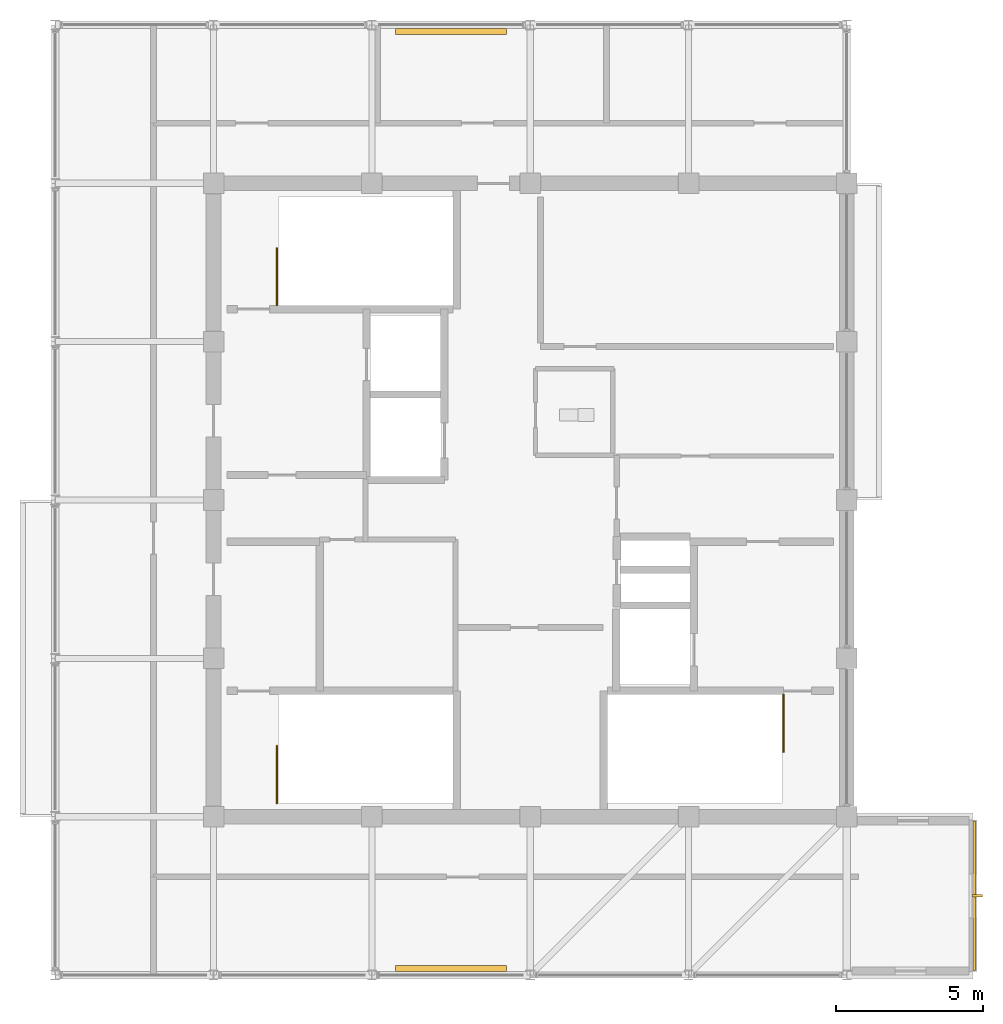
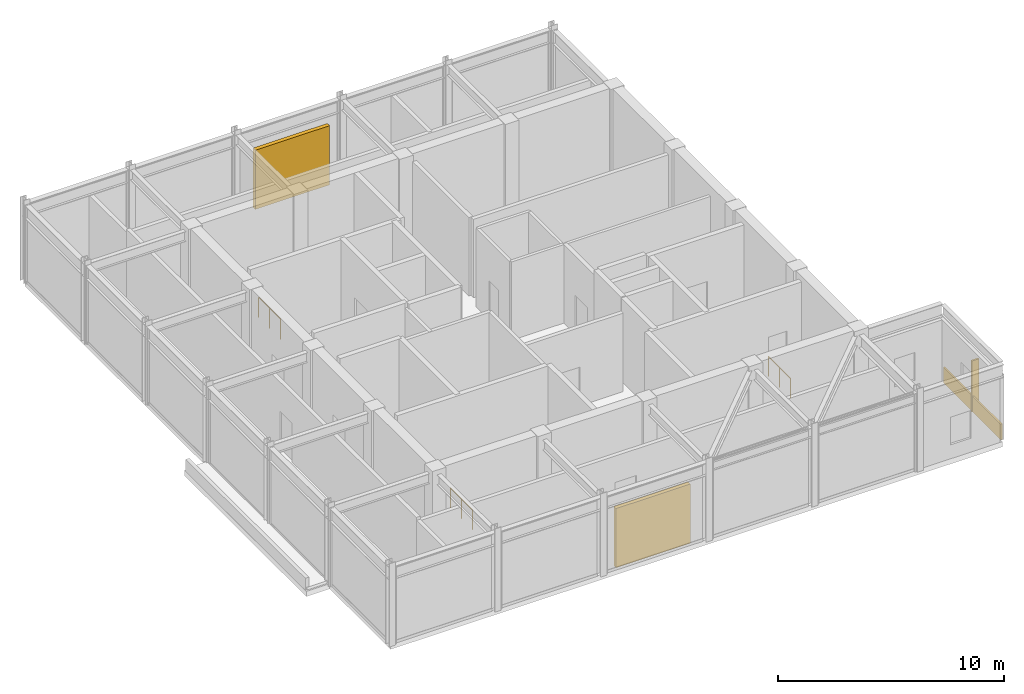
# One storey, part 17 of 18: 3 railings, 3 shading devices, 1 covering.
"""IFC4 building model written with IfcOpenShell, lengths in metres."""

from ifc_helpers import new_model, si_unit, direction, frame, origin, origin_2d, place, context, subcontext, project, spatial, rectangle, circle, extrude, material, layer, layer_set, type_object, element, save


model = new_model("IFC4")

# Units and contexts
model_context = context("Model", 3, precision=1e-05, world=origin(), true_north=direction((0.0, 1.0)))
body_context = subcontext(model_context, "Body", "Model", "MODEL_VIEW")
ifc_project = project(units=[si_unit("LENGTHUNIT", "METRE"), si_unit("AREAUNIT", "SQUARE_METRE"), si_unit("VOLUMEUNIT", "CUBIC_METRE"), si_unit("PLANEANGLEUNIT", "RADIAN"), si_unit("MASSUNIT", "GRAM", prefix="KILO")], contexts=[model_context])

# Site, building, storey
site_placement = place(None, origin())
site = spatial("IfcSite", under=ifc_project, at=site_placement, CompositionType="ELEMENT")
building_placement = place(site_placement, origin())
building = spatial("IfcBuilding", under=site, at=building_placement, Name="Surkhivell Harbour Commons", CompositionType="ELEMENT")
storey_placement = place(building_placement, frame((0.0, 0.0, 360.0)))
storey = spatial("IfcBuildingStorey", under=building, at=storey_placement, Name="L93", CompositionType="ELEMENT", Elevation=360.0)

# Covering
ifc_material_1 = material(Name="Emerald-teal enamelled aluminium cassette panel", Category="aluminium")
ifc_layer = layer(ifc_material_1, 0.068115234375)
ifc_layer_set = layer_set([ifc_layer], Name="Emerald-teal enamelled aluminium cassette panel")
covering_type = type_object("IfcCoveringType", Name="COV-CLAD-EME", PredefinedType="CLADDING", material=ifc_layer_set)
covering_placement = place(storey_placement, frame((15.139892578125, -13.5, 0.0), z_axis=(0.0, 0.0, 1.0), x_axis=(1.0, 0.0, 0.0)))
element("IfcCovering", 1, at=covering_placement, inside=storey, type_object=covering_type, Name="L93 Coloured-Panel Box Spandrel Cassette 01", PredefinedType="CLADDING", context=body_context, shape_type="SweptSolid", body=[
    extrude(rectangle(XDim=0.080078125, YDim=5.10009765625, at=origin_2d()), origin(), (0.0, 0.0, 1.0), 0.840087890625),
])

# Railings
ifc_material_2 = material(Name="Galvanised and painted steel S355 guard rail", Category="steel")
railing_type = type_object("IfcRailingType", Name="RAL-ST-GRD1100", PredefinedType="GUARDRAIL", material=ifc_material_2)
railing_1_placement = place(storey_placement, frame((-8.639892578125, 6.639892578125, 0.0)))
element("IfcRailing", 2, at=railing_1_placement, inside=storey, type_object=railing_type, Name="L93 ST1 top well guard 1", PredefinedType="GUARDRAIL", context=body_context, shape_type="SweptSolid", body=[
    extrude(circle(Radius=0.02392578125, at=origin_2d()), frame((0.0, 0.0, 1.076171875), z_axis=(0.0, 1.0, 0.0), x_axis=(-1.0, 0.0, 0.0)), (0.0, 0.0, 1.0), 1.9501953125),
    extrude(circle(Radius=0.02099609375, at=origin_2d()), origin(), (0.0, 0.0, 1.0), 1.052001953125),
    extrude(circle(Radius=0.02099609375, at=origin_2d()), frame((0.0, 0.97509765625, 0.0)), (0.0, 0.0, 1.0), 1.052001953125),
    extrude(circle(Radius=0.02099609375, at=origin_2d()), frame((0.0, 1.9501953125, 0.0)), (0.0, 0.0, 1.0), 1.052001953125),
])
railing_2_placement = place(storey_placement, frame((8.639892578125, -6.639892578125, 0.0)))
element("IfcRailing", 3, at=railing_2_placement, inside=storey, type_object=railing_type, Name="L93 ST2 top well guard 1", PredefinedType="GUARDRAIL", context=body_context, shape_type="SweptSolid", body=[
    extrude(circle(Radius=0.02392578125, at=origin_2d()), frame((0.0, 0.0, 1.076171875), z_axis=(0.0, -1.0, 0.0), x_axis=(1.0, 0.0, 0.0)), (0.0, 0.0, 1.0), 1.9501953125),
    extrude(circle(Radius=0.02099609375, at=origin_2d()), origin(), (0.0, 0.0, 1.0), 1.052001953125),
    extrude(circle(Radius=0.02099609375, at=origin_2d()), frame((0.0, -0.97509765625, 0.0)), (0.0, 0.0, 1.0), 1.052001953125),
    extrude(circle(Radius=0.02099609375, at=origin_2d()), frame((0.0, -1.9501953125, 0.0)), (0.0, 0.0, 1.0), 1.052001953125),
])
railing_3_placement = place(storey_placement, frame((-8.639892578125, -10.340087890625, 0.0)))
element("IfcRailing", 4, at=railing_3_placement, inside=storey, type_object=railing_type, Name="L93 ST3 top well guard 1", PredefinedType="GUARDRAIL", context=body_context, shape_type="SweptSolid", body=[
    extrude(circle(Radius=0.02392578125, at=origin_2d()), frame((0.0, 0.0, 1.076171875), z_axis=(0.0, 1.0, 0.0), x_axis=(-1.0, 0.0, 0.0)), (0.0, 0.0, 1.0), 1.9501953125),
    extrude(circle(Radius=0.02099609375, at=origin_2d()), origin(), (0.0, 0.0, 1.0), 1.052001953125),
    extrude(circle(Radius=0.02099609375, at=origin_2d()), frame((0.0, 0.97509765625, 0.0)), (0.0, 0.0, 1.0), 1.052001953125),
    extrude(circle(Radius=0.02099609375, at=origin_2d()), frame((0.0, 1.9501953125, 0.0)), (0.0, 0.0, 1.0), 1.052001953125),
])

# Shading devices
ifc_material_3 = material(Name="Anodised pale-metal aluminium solar fin", Category="aluminium")
shading_device_type_1 = type_object("IfcShadingDeviceType", Name="SHD-FIN-VERT", PredefinedType="USERDEFINED", material=ifc_material_3)
shading_device_placement = place(storey_placement, frame((15.239990234375, -13.5, 0.0048828125), z_axis=(0.0, 0.0, 1.0), x_axis=(1.0, 0.0, 0.0)))
element("IfcShadingDevice", 5, at=shading_device_placement, inside=storey, type_object=shading_device_type_1, Name="L93 Coloured-Box Solar Fin 01", ObjectType="FIN", PredefinedType="USERDEFINED", context=body_context, shape_type="SweptSolid", body=[
    extrude(rectangle(XDim=0.360107421875, YDim=0.090087890625, at=origin_2d()), origin(), (0.0, 0.0, 1.0), 2.75),
])
ifc_material_4 = material(Name="Crown pale-metal storm louvre assembly", Category="aluminium")
shading_device_type_2 = type_object("IfcShadingDeviceType", Name="SHD-LOUV-CRN", PredefinedType="JALOUSIE", material=ifc_material_4)
for number, where, z_axis, x_axis, name in (
    (6, (-2.699951171875, -15.97998046875, 0.0), (0.0, 0.0, 1.0), (1.0, 0.0, 0.0), "L93 Crown Acoustic Louvre Screen 00"),
    (7, (-2.699951171875, 15.97998046875, 0.0), (0.0, 0.0, 1.0), (1.0, 0.0, 0.0), "L93 Crown Acoustic Louvre Screen 02"),
):
    element("IfcShadingDevice", number, at=place(storey_placement, frame(where, z_axis=z_axis, x_axis=x_axis)), inside=storey, type_object=shading_device_type_2, Name=name, PredefinedType="JALOUSIE", context=body_context, shape_type="SweptSolid", body=[
        extrude(rectangle(XDim=3.800048828125, YDim=0.199951171875, at=origin_2d()), origin(), (0.0, 0.0, 1.0), 3.199951171875),
    ])

save(model, "model.ifc")
